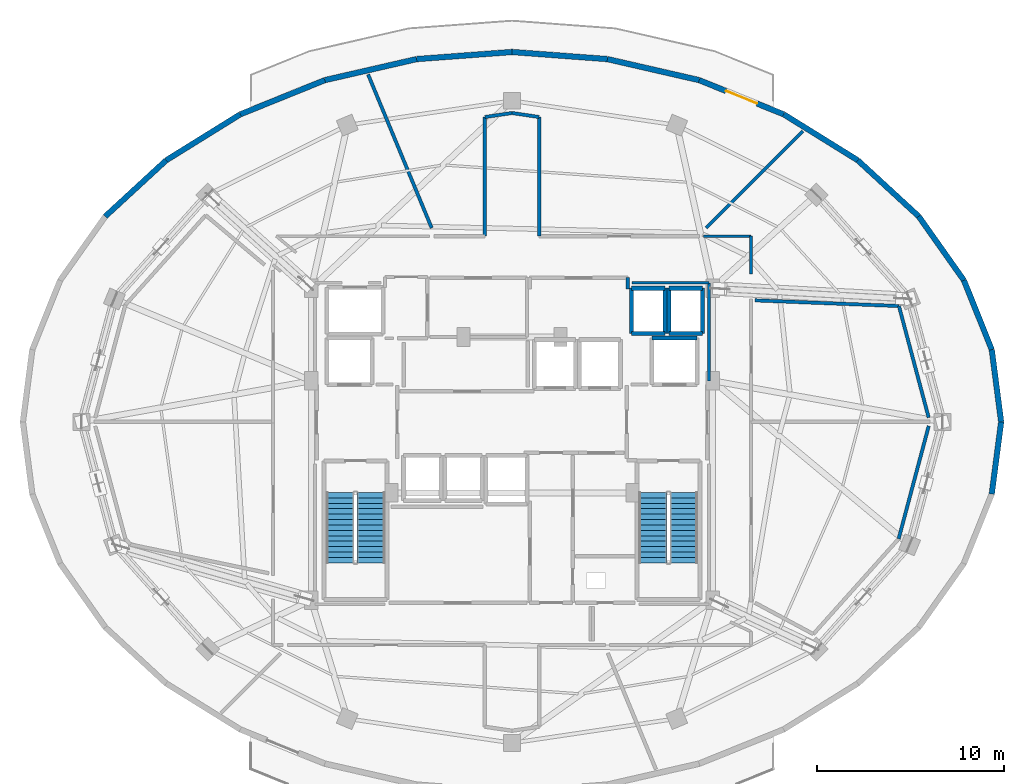
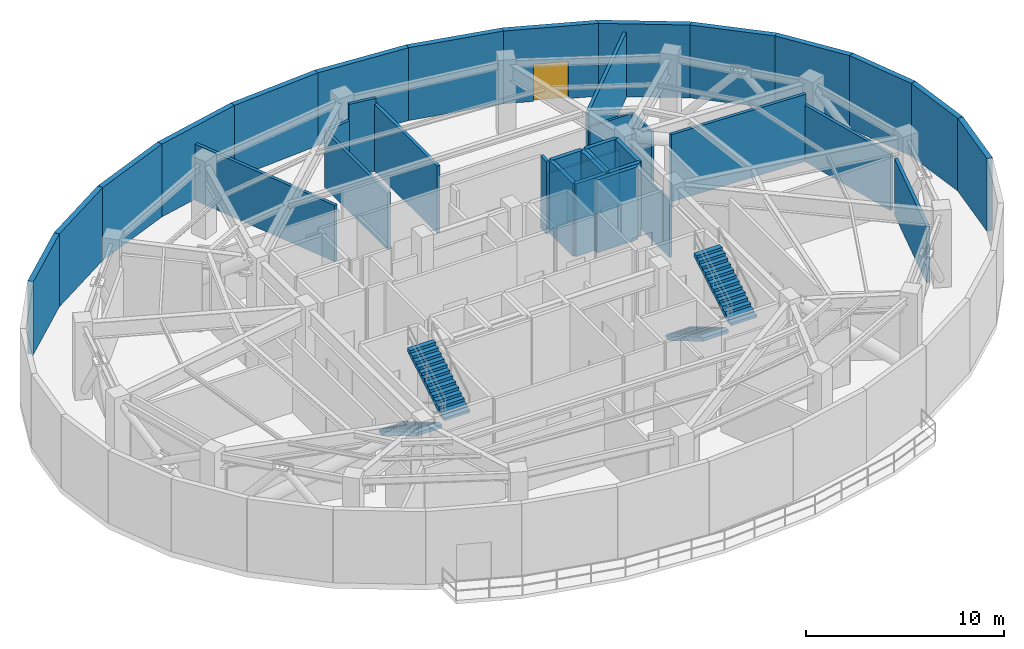
# One storey, part 9 of 10: 37 walls, 4 stair flights, 1 door, 1 opening, 2 elements without a shape of their own.
"""IFC4 building model written with IfcOpenShell, lengths in metres."""

from ifc_helpers import new_model, si_unit, direction, frame, frame_2d, origin, place, context, subcontext, project, spatial, polyline, rectangle, outline, extrude, material, layer, layer_set, type_object, element, fill, aggregate, save


model = new_model("IFC4")

# Units and contexts
model_context = context("Model", 3, precision=1e-05, world=origin(), true_north=direction((0.0, 1.0)))
body_context = subcontext(model_context, "Body", "Model", "MODEL_VIEW")
ifc_project = project(units=[si_unit("LENGTHUNIT", "METRE"), si_unit("AREAUNIT", "SQUARE_METRE"), si_unit("VOLUMEUNIT", "CUBIC_METRE"), si_unit("PLANEANGLEUNIT", "RADIAN"), si_unit("MASSUNIT", "GRAM", prefix="KILO")], contexts=[model_context])

# Site, building, storey
site_placement = place(None, origin())
site = spatial("IfcSite", under=ifc_project, at=site_placement, CompositionType="ELEMENT")
building_placement = place(site_placement, origin())
building = spatial("IfcBuilding", under=site, at=building_placement, Name="Vorneva Point Tower", CompositionType="ELEMENT")
storey_placement = place(building_placement, frame((0.0, 0.0, 224.949951171875)))
storey = spatial("IfcBuildingStorey", under=building, at=storey_placement, Name="L61", CompositionType="ELEMENT", Elevation=224.949951171875)

# Walls
ifc_material_1 = material(Name="Concrete B60 (C50/60)", Category="concrete")
ifc_layer_1 = layer(ifc_material_1, 0.35009765625)
ifc_layer_set_1 = layer_set([ifc_layer_1], Name="Concrete B60 (C50/60)")
wall_type_1 = type_object("IfcWallType", Name="WL-CORE-350", PredefinedType="SHEAR", material=ifc_layer_set_1)
wall_1_placement = place(storey_placement, frame((47.89990234375, 30.5, 0.0), z_axis=(0.0, 0.0, 1.0), x_axis=(-1.0, 0.0, 0.0)))
element("IfcWall", 1, at=wall_1_placement, inside=storey, type_object=wall_type_1, Name="L61 Lift FFL2 Shaft Wall +Y", PredefinedType="SHEAR", context=body_context, shape_type="SweptSolid", body=[
    extrude(rectangle(XDim=2.39990234375, YDim=0.219970703125, at=frame_2d((1.199951171875, 0.0))), origin(), (0.0, 0.0, 1.0), 4.5),
])
ifc_material_2 = material(Name="Precast concrete B50 (C40/50)", Category="concrete")
ifc_layer_2 = layer(ifc_material_2, 0.300048828125)
ifc_layer_set_2 = layer_set([ifc_layer_2], Name="Precast concrete B50 (C40/50)")
wall_type_2 = type_object("IfcWallType", Name="WL-EXT-300", PredefinedType="STANDARD", material=ifc_layer_set_2)
wall_2_placement = place(storey_placement, frame((64.199951171875, 26.0, 0.0), z_axis=(0.0, 0.0, 1.0), x_axis=(-0.129167789917, 0.991622751881, 0.0)))
element("IfcWall", 2, at=wall_2_placement, inside=storey, type_object=wall_type_2, Name="L61 Pale-Metal Facade Spandrel Wall 01.1", PredefinedType="STANDARD", context=body_context, shape_type="SweptSolid", body=[
    extrude(rectangle(XDim=3.8974609375, YDim=0.300048828125, at=frame_2d((1.94873046875, 0.0))), origin(), (0.0, 0.0, 1.0), 4.5),
])
wall_3_placement = place(storey_placement, frame((63.696533203125, 29.86474609375, 0.0), z_axis=(0.0, 0.0, 1.0), x_axis=(-0.37234708598, 0.928093555393, 0.0)))
element("IfcWall", 3, at=wall_3_placement, inside=storey, type_object=wall_type_2, Name="L61 Pale-Metal Facade Spandrel Wall 01.2", PredefinedType="STANDARD", context=body_context, shape_type="SweptSolid", body=[
    extrude(rectangle(XDim=4.004150390625, YDim=0.300048828125, at=frame_2d((2.001953125, 0.0))), origin(), (0.0, 0.0, 1.0), 4.5),
])
wall_4_placement = place(storey_placement, frame((62.20556640625, 33.5810546875, 0.0), z_axis=(0.0, 0.0, 1.0), x_axis=(-0.577261247247, 0.816559521668, 0.0)))
element("IfcWall", 4, at=wall_4_placement, inside=storey, type_object=wall_type_2, Name="L61 Pale-Metal Facade Spandrel Wall 02.1", PredefinedType="STANDARD", context=body_context, shape_type="SweptSolid", body=[
    extrude(rectangle(XDim=4.194091796875, YDim=0.300048828125, at=frame_2d((2.09716796875, 0.0))), origin(), (0.0, 0.0, 1.0), 4.5),
])
wall_5_placement = place(storey_placement, frame((59.784423828125, 37.005859375, 0.0), z_axis=(0.0, 0.0, 1.0), x_axis=(-0.735445373611, 0.677584018727, 0.0)))
element("IfcWall", 5, at=wall_5_placement, inside=storey, type_object=wall_type_2, Name="L61 Pale-Metal Facade Spandrel Wall 02.2", PredefinedType="STANDARD", context=body_context, shape_type="SweptSolid", body=[
    extrude(rectangle(XDim=4.430419921875, YDim=0.300048828125, at=frame_2d((2.21533203125, 0.0))), origin(), (0.0, 0.0, 1.0), 4.5),
])
wall_6_placement = place(storey_placement, frame((56.526123046875, 40.0078125, 0.0), z_axis=(0.0, 0.0, 1.0), x_axis=(-0.849702323036, 0.527262707032, 0.0)))
element("IfcWall", 6, at=wall_6_placement, inside=storey, type_object=wall_type_2, Name="L61 Pale-Metal Facade Spandrel Wall 03.1", PredefinedType="STANDARD", context=body_context, shape_type="SweptSolid", body=[
    extrude(rectangle(XDim=4.67236328125, YDim=0.300048828125, at=frame_2d((2.336181640625, 0.0))), origin(), (0.0, 0.0, 1.0), 4.5),
])

# Wall, opening, door
wall_7_placement = place(storey_placement, frame((52.555908203125, 42.471435546875, 0.0), z_axis=(0.0, 0.0, 1.0), x_axis=(-0.927147375511, 0.374696869594, 0.0)))
wall_7 = element("IfcWall", 7, at=wall_7_placement, inside=storey, type_object=wall_type_2, Name="L61 Pale-Metal Facade Spandrel Wall 03.2", PredefinedType="STANDARD", context=body_context, shape_type="SweptSolid", body=[
    extrude(rectangle(XDim=4.885498046875, YDim=0.300048828125, at=frame_2d((2.44287109375, 0.0))), origin(), (0.0, 0.0, 1.0), 4.5),
])
opening_placement = place(wall_7_placement, frame((1.542724609375, 0.0, 0.0)))
opening = element("IfcOpeningElement", 8, at=opening_placement, cuts=wall_7, Name="Opening BD-02", PredefinedType="OPENING", context=body_context, shape_type="SweptSolid", body=[
    extrude(rectangle(XDim=1.800048828125, YDim=2.300048828125, at=frame_2d((0.89990234375, 1.14990234375))), frame((0.0, 0.1650390625, 0.0), z_axis=(0.0, -1.0, 0.0), x_axis=(1.0, 0.0, 0.0)), (0.0, 0.0, 1.0), 0.329833984375),
])
ifc_material_3 = material(Name="Pale anodised aluminium", Category="aluminium")
door_type = type_object("IfcDoorType", Name="DR-TER-1800", OperationType="DOUBLE_SWING_LEFT", PredefinedType="DOOR", material=ifc_material_3)
door_placement = place(opening_placement, origin())
door = element("IfcDoor", 9, at=door_placement, inside=storey, type_object=door_type, Name="L61 Balcony Terrace Access Door 03", OperationType="DOUBLE_SWING_LEFT", OverallHeight=2.300048828125, OverallWidth=1.800048828125, PredefinedType="DOOR", context=body_context, shape_type="SweptSolid", body=[
    extrude(rectangle(XDim=1.800048828125, YDim=2.300048828125, at=frame_2d((0.89990234375, 1.14990234375))), frame((0.0, 0.02490234375, 0.0), z_axis=(0.0, -1.0, 0.0), x_axis=(1.0, 0.0, 0.0)), (0.0, 0.0, 1.0), 0.050048828125),
])
fill(opening, door)

# Walls
wall_8_placement = place(storey_placement, frame((48.0263671875, 44.302001953125, 0.0), z_axis=(0.0, 0.0, 1.0), x_axis=(-0.974685739337, 0.223579313742, 0.0)))
element("IfcWall", 10, at=wall_8_placement, inside=storey, type_object=wall_type_2, Name="L61 Pale-Metal Facade Spandrel Wall 04.1", PredefinedType="STANDARD", context=body_context, shape_type="SweptSolid", body=[
    extrude(rectangle(XDim=5.042724609375, YDim=0.300048828125, at=frame_2d((2.521484375, 0.0))), origin(), (0.0, 0.0, 1.0), 4.5),
])
for number, where, z_axis, x_axis, name in (
    (11, (43.111328125, 45.429443359375, 0.0), (0.0, 0.0, 1.0), (-0.997238956469, 0.074259435094, 0.0), "L61 Pale-Metal Facade Spandrel Wall 04.2"),
    (12, (38.0, 45.81005859375, 0.0), (0.0, 0.0, 1.0), (-0.997238956469, -0.074259435094, 0.0), "L61 Pale-Metal Facade Spandrel Wall 05.1"),
):
    element("IfcWall", number, at=place(storey_placement, frame(where, z_axis=z_axis, x_axis=x_axis)), inside=storey, type_object=wall_type_2, Name=name, PredefinedType="STANDARD", context=body_context, shape_type="SweptSolid", body=[
        extrude(rectangle(XDim=5.12548828125, YDim=0.300048828125, at=frame_2d((2.562744140625, 0.0))), origin(), (0.0, 0.0, 1.0), 4.5),
    ])
wall_9_placement = place(storey_placement, frame((32.888671875, 45.429443359375, 0.0), z_axis=(0.0, 0.0, 1.0), x_axis=(-0.974685739337, -0.223579313742, 0.0)))
element("IfcWall", 13, at=wall_9_placement, inside=storey, type_object=wall_type_2, Name="L61 Pale-Metal Facade Spandrel Wall 05.2", PredefinedType="STANDARD", context=body_context, shape_type="SweptSolid", body=[
    extrude(rectangle(XDim=5.042724609375, YDim=0.300048828125, at=frame_2d((2.521484375, 0.0))), origin(), (0.0, 0.0, 1.0), 4.5),
])
wall_10_placement = place(storey_placement, frame((27.9736328125, 44.302001953125, 0.0), z_axis=(0.0, 0.0, 1.0), x_axis=(-0.927147375511, -0.374696869594, 0.0)))
element("IfcWall", 14, at=wall_10_placement, inside=storey, type_object=wall_type_2, Name="L61 Pale-Metal Facade Spandrel Wall 06.1", PredefinedType="STANDARD", context=body_context, shape_type="SweptSolid", body=[
    extrude(rectangle(XDim=4.885498046875, YDim=0.300048828125, at=frame_2d((2.44287109375, 0.0))), origin(), (0.0, 0.0, 1.0), 4.5),
])
wall_11_placement = place(storey_placement, frame((23.444091796875, 42.471435546875, 0.0), z_axis=(0.0, 0.0, 1.0), x_axis=(-0.849702323036, -0.527262707032, 0.0)))
element("IfcWall", 15, at=wall_11_placement, inside=storey, type_object=wall_type_2, Name="L61 Pale-Metal Facade Spandrel Wall 06.2", PredefinedType="STANDARD", context=body_context, shape_type="SweptSolid", body=[
    extrude(rectangle(XDim=4.67236328125, YDim=0.300048828125, at=frame_2d((2.336181640625, 0.0))), origin(), (0.0, 0.0, 1.0), 4.5),
])
wall_12_placement = place(storey_placement, frame((19.473876953125, 40.0078125, 0.0), z_axis=(0.0, 0.0, 1.0), x_axis=(-0.735445373611, -0.677584018727, 0.0)))
element("IfcWall", 16, at=wall_12_placement, inside=storey, type_object=wall_type_2, Name="L61 Pale-Metal Facade Spandrel Wall 07.1", PredefinedType="STANDARD", context=body_context, shape_type="SweptSolid", body=[
    extrude(rectangle(XDim=4.430419921875, YDim=0.300048828125, at=frame_2d((2.21533203125, 0.0))), origin(), (0.0, 0.0, 1.0), 4.5),
])
wall_13_placement = place(storey_placement, frame((63.696533203125, 22.13525390625, 0.0), z_axis=(0.0, 0.0, 1.0), x_axis=(0.129167789917, 0.991622751881, 0.0)))
element("IfcWall", 17, at=wall_13_placement, inside=storey, type_object=wall_type_2, Name="L61 Pale-Metal Facade Spandrel Wall 16.2", PredefinedType="STANDARD", context=body_context, shape_type="SweptSolid", body=[
    extrude(rectangle(XDim=3.8974609375, YDim=0.300048828125, at=frame_2d((1.94873046875, 0.0))), origin(), (0.0, 0.0, 1.0), 4.5),
])
ifc_material_4 = material(Name="Fire-rated acoustic gypsum stud partition", Category="gypsum")
ifc_layer_3 = layer(ifc_material_4, 0.139892578125)
ifc_layer_set_3 = layer_set([ifc_layer_3], Name="Fire-rated acoustic gypsum stud partition")
wall_type_3 = type_object("IfcWallType", Name="WL-PART-140", PredefinedType="PARTITIONING", material=ifc_layer_set_3)
wall_14_placement = place(storey_placement, frame((50.800048828125, 33.927978515625, 0.0), z_axis=(0.0, 0.0, 1.0), x_axis=(0.0, 1.0, 0.0)))
element("IfcWall", 18, at=wall_14_placement, inside=storey, type_object=wall_type_3, Name="L61 Interior Closure Partition 053", PredefinedType="PARTITIONING", context=body_context, shape_type="SweptSolid", body=[
    extrude(rectangle(XDim=2.02197265625, YDim=0.139892578125, at=frame_2d((1.010986328125, 0.0))), origin(), (0.0, 0.0, 1.0), 3.48193359375),
])
wall_15_placement = place(storey_placement, frame((50.800048828125, 35.949951171875, 0.0), z_axis=(0.0, 0.0, 1.0), x_axis=(-1.0, 0.0, 0.0)))
element("IfcWall", 19, at=wall_15_placement, inside=storey, type_object=wall_type_3, Name="L61 Interior Closure Partition 054", PredefinedType="PARTITIONING", context=body_context, shape_type="SweptSolid", body=[
    extrude(rectangle(XDim=2.545166015625, YDim=0.139892578125, at=frame_2d((1.2724609375, 0.0))), origin(), (0.0, 0.0, 1.0), 3.48193359375),
])
wall_16_placement = place(storey_placement, frame((48.550048828125, 28.196044921875, 0.0), z_axis=(0.0, 0.0, 1.0), x_axis=(0.0, 1.0, 0.0)))
element("IfcWall", 20, at=wall_16_placement, inside=storey, type_object=wall_type_3, Name="L61 Interior Closure Partition 069", PredefinedType="PARTITIONING", context=body_context, shape_type="SweptSolid", body=[
    extrude(rectangle(XDim=5.25390625, YDim=0.139892578125, at=frame_2d((2.626953125, 0.0))), origin(), (0.0, 0.0, 1.0), 3.48193359375),
])
wall_17_placement = place(storey_placement, frame((48.550048828125, 33.449951171875, 0.0), z_axis=(0.0, 0.0, 1.0), x_axis=(-1.0, 0.0, 0.0)))
element("IfcWall", 21, at=wall_17_placement, inside=storey, type_object=wall_type_3, Name="L61 Interior Closure Partition 070", PredefinedType="PARTITIONING", context=body_context, shape_type="SweptSolid", body=[
    extrude(rectangle(XDim=4.130126953125, YDim=0.139892578125, at=frame_2d((2.06494140625, 0.0))), origin(), (0.0, 0.0, 1.0), 3.48193359375),
])
ifc_material_5 = material(Name="Autoclaved aerated concrete blockwork", Category="masonry")
ifc_layer_4 = layer(ifc_material_5, 0.179931640625)
ifc_layer_set_4 = layer_set([ifc_layer_4], Name="Autoclaved aerated concrete blockwork")
wall_type_4 = type_object("IfcWallType", Name="WL-PART-180", PredefinedType="PARTITIONING", material=ifc_layer_set_4)
wall_18_placement = place(storey_placement, frame((44.199951171875, 33.110107421875, 0.0), z_axis=(0.0, 0.0, 1.0), x_axis=(0.0, 1.0, 0.0)))
element("IfcWall", 22, at=wall_18_placement, inside=storey, type_object=wall_type_4, Name="L61 Interior Partition 022", PredefinedType="PARTITIONING", context=body_context, shape_type="SweptSolid", body=[
    extrude(rectangle(XDim=0.60986328125, YDim=0.179931640625, at=frame_2d((0.304931640625, 0.0))), origin(), (0.0, 0.0, 1.0), 4.5),
])
wall_19_placement = place(storey_placement, frame((39.449951171875, 35.949951171875, 0.0), z_axis=(0.0, 0.0, 1.0), x_axis=(0.0, 1.0, 0.0)))
element("IfcWall", 23, at=wall_19_placement, inside=storey, type_object=wall_type_4, Name="L61 Interior Partition 027", PredefinedType="PARTITIONING", context=body_context, shape_type="SweptSolid", body=[
    extrude(rectangle(XDim=6.3779296875, YDim=0.179931640625, at=frame_2d((3.18896484375, 0.0))), origin(), (0.0, 0.0, 1.0), 4.14599609375),
])
wall_20_placement = place(storey_placement, frame((39.449951171875, 42.327880859375, 0.0), z_axis=(0.0, 0.0, 1.0), x_axis=(-0.989175722593, 0.146735782388, 0.0)))
element("IfcWall", 24, at=wall_20_placement, inside=storey, type_object=wall_type_4, Name="L61 Interior Partition 028", PredefinedType="PARTITIONING", context=body_context, shape_type="SweptSolid", body=[
    extrude(rectangle(XDim=1.4658203125, YDim=0.179931640625, at=frame_2d((0.73291015625, 0.0))), origin(), (0.0, 0.0, 1.0), 4.5),
])
wall_21_placement = place(storey_placement, frame((38.0, 42.54296875, 0.0), z_axis=(0.0, 0.0, 1.0), x_axis=(-0.989175722593, -0.146735782388, 0.0)))
element("IfcWall", 25, at=wall_21_placement, inside=storey, type_object=wall_type_4, Name="L61 Interior Partition 029", PredefinedType="PARTITIONING", context=body_context, shape_type="SweptSolid", body=[
    extrude(rectangle(XDim=1.4658203125, YDim=0.179931640625, at=frame_2d((0.73291015625, 0.0))), origin(), (0.0, 0.0, 1.0), 3.48193359375),
])
wall_22_placement = place(storey_placement, frame((36.550048828125, 42.327880859375, 0.0), z_axis=(0.0, 0.0, 1.0), x_axis=(0.0, -1.0, 0.0)))
element("IfcWall", 26, at=wall_22_placement, inside=storey, type_object=wall_type_4, Name="L61 Interior Partition 030", PredefinedType="PARTITIONING", context=body_context, shape_type="SweptSolid", body=[
    extrude(rectangle(XDim=6.3779296875, YDim=0.179931640625, at=frame_2d((3.18896484375, 0.0))), origin(), (0.0, 0.0, 1.0), 3.48193359375),
])
wall_23_placement = place(storey_placement, frame((48.39990234375, 36.39990234375, 0.0), z_axis=(0.0, 0.0, 1.0), x_axis=(0.707106781187, 0.707106781187, 0.0)))
element("IfcWall", 27, at=wall_23_placement, inside=storey, type_object=wall_type_4, Name="L61 Interior Closure Partition 071", PredefinedType="PARTITIONING", context=body_context, shape_type="SweptSolid", body=[
    extrude(rectangle(XDim=7.32275390625, YDim=0.179931640625, at=frame_2d((3.661376953125, 0.0))), origin(), (0.0, 0.0, 1.0), 4.033935546875),
])
wall_24_placement = place(storey_placement, frame((30.2919921875, 44.60791015625, 0.0), z_axis=(0.0, 0.0, 1.0), x_axis=(0.382758057572, -0.923848618208, 0.0)))
element("IfcWall", 28, at=wall_24_placement, inside=storey, type_object=wall_type_4, Name="L61 Interior Closure Partition 072", PredefinedType="PARTITIONING", context=body_context, shape_type="SweptSolid", body=[
    extrude(rectangle(XDim=8.898681640625, YDim=0.179931640625, at=frame_2d((4.44921875, 0.0))), origin(), (0.0, 0.0, 1.0), 3.48193359375),
])
wall_25_placement = place(storey_placement, frame((58.70703125, 19.736083984375, 0.0), z_axis=(0.0, 0.0, 1.0), x_axis=(0.257567905164, 0.966260200065, 0.0)))
element("IfcWall", 29, at=wall_25_placement, inside=storey, type_object=wall_type_4, Name="L61 Interior Closure Partition 083", PredefinedType="PARTITIONING", context=body_context, shape_type="SweptSolid", body=[
    extrude(rectangle(XDim=6.2548828125, YDim=0.179931640625, at=frame_2d((3.12744140625, 0.0))), origin(), (0.0, 0.0, 1.0), 3.48193359375),
])
wall_26_placement = place(storey_placement, frame((60.31591796875, 26.22998046875, 0.0), z_axis=(0.0, 0.0, 1.0), x_axis=(-0.257611046893, 0.966248699103, 0.0)))
element("IfcWall", 30, at=wall_26_placement, inside=storey, type_object=wall_type_4, Name="L61 Interior Closure Partition 084", PredefinedType="PARTITIONING", context=body_context, shape_type="SweptSolid", body=[
    extrude(rectangle(XDim=6.183837890625, YDim=0.179931640625, at=frame_2d((3.091796875, 0.0))), origin(), (0.0, 0.0, 1.0), 3.48193359375),
])
wall_27_placement = place(storey_placement, frame((58.722900390625, 32.205078125, 0.0), z_axis=(0.0, 0.0, 1.0), x_axis=(-0.999222365292, 0.039429236626, 0.0)))
element("IfcWall", 31, at=wall_27_placement, inside=storey, type_object=wall_type_4, Name="L61 Interior Closure Partition 085", PredefinedType="PARTITIONING", context=body_context, shape_type="SweptSolid", body=[
    extrude(rectangle(XDim=7.708984375, YDim=0.179931640625, at=frame_2d((3.8544921875, 0.0))), origin(), (0.0, 0.0, 1.0), 4.14599609375),
])
ifc_material_6 = material(Name="Concrete B50 (C40/50)", Category="concrete")
ifc_layer_5 = layer(ifc_material_6, 0.219970703125)
ifc_layer_set_5 = layer_set([ifc_layer_5], Name="Concrete B50 (C40/50)")
wall_type_5 = type_object("IfcWallType", Name="WL-SHFT-220", PredefinedType="SOLIDWALL", material=ifc_layer_set_5)
wall_28_placement = place(storey_placement, frame((44.39990234375, 30.739990234375, 0.0), z_axis=(0.0, 0.0, 1.0), x_axis=(1.0, 0.0, 0.0)))
element("IfcWall", 32, at=wall_28_placement, inside=storey, type_object=wall_type_5, Name="L61 Lift EX1 Shaft Wall -Y", PredefinedType="SOLIDWALL", context=body_context, shape_type="SweptSolid", body=[
    extrude(rectangle(XDim=1.800048828125, YDim=0.219970703125, at=frame_2d((0.89990234375, 0.0))), origin(), (0.0, 0.0, 1.0), 4.5),
])
wall_29_placement = place(storey_placement, frame((46.199951171875, 30.739990234375, 0.0), z_axis=(0.0, 0.0, 1.0), x_axis=(0.0, 1.0, 0.0)))
element("IfcWall", 33, at=wall_29_placement, inside=storey, type_object=wall_type_5, Name="L61 Lift EX1 Shaft Wall +X", PredefinedType="SOLIDWALL", context=body_context, shape_type="SweptSolid", body=[
    extrude(rectangle(XDim=2.419921875, YDim=0.219970703125, at=frame_2d((1.2099609375, 0.0))), origin(), (0.0, 0.0, 1.0), 4.5),
])
wall_30_placement = place(storey_placement, frame((46.199951171875, 33.159912109375, 0.0), z_axis=(0.0, 0.0, 1.0), x_axis=(-1.0, 0.0, 0.0)))
element("IfcWall", 34, at=wall_30_placement, inside=storey, type_object=wall_type_5, Name="L61 Lift EX1 Shaft Wall +Y", PredefinedType="SOLIDWALL", context=body_context, shape_type="SweptSolid", body=[
    extrude(rectangle(XDim=1.800048828125, YDim=0.219970703125, at=frame_2d((0.89990234375, 0.0))), origin(), (0.0, 0.0, 1.0), 4.5),
])
wall_31_placement = place(storey_placement, frame((44.39990234375, 33.159912109375, 0.0), z_axis=(0.0, 0.0, 1.0), x_axis=(0.0, -1.0, 0.0)))
element("IfcWall", 35, at=wall_31_placement, inside=storey, type_object=wall_type_5, Name="L61 Lift EX1 Shaft Wall -X", PredefinedType="SOLIDWALL", context=body_context, shape_type="SweptSolid", body=[
    extrude(rectangle(XDim=2.419921875, YDim=0.219970703125, at=frame_2d((1.2099609375, 0.0))), origin(), (0.0, 0.0, 1.0), 4.5),
])
wall_32_placement = place(storey_placement, frame((46.39990234375, 30.739990234375, 0.0), z_axis=(0.0, 0.0, 1.0), x_axis=(1.0, 0.0, 0.0)))
element("IfcWall", 36, at=wall_32_placement, inside=storey, type_object=wall_type_5, Name="L61 Lift EX2 Shaft Wall -Y", PredefinedType="SOLIDWALL", context=body_context, shape_type="SweptSolid", body=[
    extrude(rectangle(XDim=1.800048828125, YDim=0.219970703125, at=frame_2d((0.89990234375, 0.0))), origin(), (0.0, 0.0, 1.0), 4.5),
])
wall_33_placement = place(storey_placement, frame((48.199951171875, 30.739990234375, 0.0), z_axis=(0.0, 0.0, 1.0), x_axis=(0.0, 1.0, 0.0)))
element("IfcWall", 37, at=wall_33_placement, inside=storey, type_object=wall_type_5, Name="L61 Lift EX2 Shaft Wall +X", PredefinedType="SOLIDWALL", context=body_context, shape_type="SweptSolid", body=[
    extrude(rectangle(XDim=2.419921875, YDim=0.219970703125, at=frame_2d((1.2099609375, 0.0))), origin(), (0.0, 0.0, 1.0), 4.5),
])
wall_34_placement = place(storey_placement, frame((48.199951171875, 33.159912109375, 0.0), z_axis=(0.0, 0.0, 1.0), x_axis=(-1.0, 0.0, 0.0)))
element("IfcWall", 38, at=wall_34_placement, inside=storey, type_object=wall_type_5, Name="L61 Lift EX2 Shaft Wall +Y", PredefinedType="SOLIDWALL", context=body_context, shape_type="SweptSolid", body=[
    extrude(rectangle(XDim=1.800048828125, YDim=0.219970703125, at=frame_2d((0.89990234375, 0.0))), origin(), (0.0, 0.0, 1.0), 4.5),
])
wall_35_placement = place(storey_placement, frame((46.39990234375, 33.159912109375, 0.0), z_axis=(0.0, 0.0, 1.0), x_axis=(0.0, -1.0, 0.0)))
element("IfcWall", 39, at=wall_35_placement, inside=storey, type_object=wall_type_5, Name="L61 Lift EX2 Shaft Wall -X", PredefinedType="SOLIDWALL", context=body_context, shape_type="SweptSolid", body=[
    extrude(rectangle(XDim=2.419921875, YDim=0.219970703125, at=frame_2d((1.2099609375, 0.0))), origin(), (0.0, 0.0, 1.0), 4.5),
])

# Stair, stair flights
stair_type = type_object("IfcStairType", Name="ST-DOG-1500", PredefinedType="HALF_TURN_STAIR", material=ifc_material_6)
stair_1_placement = place(storey_placement, origin())
stair_1 = element("IfcStair", 40, at=stair_1_placement, inside=storey, type_object=stair_type, Name="L61 ST1", PredefinedType="HALF_TURN_STAIR")
stair_flight_type = type_object("IfcStairFlightType", Name="STF-1500", PredefinedType="STRAIGHT", material=ifc_material_6)
stair_flight_1_placement = place(storey_placement, frame((28.800048828125, 22.219970703125, 0.0), z_axis=(0.0, 0.0, 1.0), x_axis=(0.0, -1.0, 0.0)))
stair_flight_1 = element("IfcStairFlight", 41, at=stair_flight_1_placement, type_object=stair_flight_type, Name="ST1 flight 1", NumberOfRisers=14, NumberOfTreads=13, PredefinedType="STRAIGHT", RiserHeight=0.171428571, TreadLength=0.29, context=body_context, shape_type="SweptSolid", body=[
    extrude(outline(polyline([(0.0, 0.0), (0.0, 0.17138671875), (0.2900390625, 0.17138671875), (0.2900390625, 0.3427734375), (0.580078125, 0.3427734375), (0.580078125, 0.514404296875), (0.8701171875, 0.514404296875), (0.8701171875, 0.685791015625), (1.159912109375, 0.685791015625), (1.159912109375, 0.857177734375), (1.449951171875, 0.857177734375), (1.449951171875, 1.028564453125), (1.739990234375, 1.028564453125), (1.739990234375, 1.199951171875), (2.030029296875, 1.199951171875), (2.030029296875, 1.371337890625), (2.320068359375, 1.371337890625), (2.320068359375, 1.54296875), (2.610107421875, 1.54296875), (2.610107421875, 1.71435546875), (2.89990234375, 1.71435546875), (2.89990234375, 1.8857421875), (3.18994140625, 1.8857421875), (3.18994140625, 2.05712890625), (3.47998046875, 2.05712890625), (3.47998046875, 2.228515625), (3.77001953125, 2.228515625), (3.77001953125, 2.39990234375), (3.77001953125, 2.01953125), (0.353515625, 0.0), (0.0, 0.0)])), frame((0.0, 0.75, 0.0), z_axis=(0.0, -1.0, 0.0), x_axis=(1.0, 0.0, 0.0)), (0.0, 0.0, 1.0), 1.5),
])
stair_flight_2_placement = place(storey_placement, frame((30.449951171875, 18.449951171875, 2.400146484375), z_axis=(0.0, 0.0, 1.0), x_axis=(0.0, 1.0, 0.0)))
stair_flight_2 = element("IfcStairFlight", 42, at=stair_flight_2_placement, type_object=stair_flight_type, Name="ST1 flight 2", NumberOfRisers=14, NumberOfTreads=13, PredefinedType="STRAIGHT", RiserHeight=0.171428571, TreadLength=0.29, context=body_context, shape_type="SweptSolid", body=[
    extrude(outline(polyline([(0.0, 0.0), (0.0, 0.17138671875), (0.2900390625, 0.17138671875), (0.2900390625, 0.3427734375), (0.580078125, 0.3427734375), (0.580078125, 0.514404296875), (0.8701171875, 0.514404296875), (0.8701171875, 0.685791015625), (1.159912109375, 0.685791015625), (1.159912109375, 0.857177734375), (1.449951171875, 0.857177734375), (1.449951171875, 1.028564453125), (1.739990234375, 1.028564453125), (1.739990234375, 1.199951171875), (2.030029296875, 1.199951171875), (2.030029296875, 1.371337890625), (2.320068359375, 1.371337890625), (2.320068359375, 1.54296875), (2.610107421875, 1.54296875), (2.610107421875, 1.71435546875), (2.89990234375, 1.71435546875), (2.89990234375, 1.8857421875), (3.18994140625, 1.8857421875), (3.18994140625, 2.05712890625), (3.47998046875, 2.05712890625), (3.47998046875, 2.228515625), (3.77001953125, 2.228515625), (3.77001953125, 2.39990234375), (3.77001953125, 2.01953125), (0.353515625, 0.0), (0.0, 0.0)])), frame((0.0, 0.75, 0.0), z_axis=(0.0, -1.0, 0.0), x_axis=(1.0, 0.0, 0.0)), (0.0, 0.0, 1.0), 1.5),
])
aggregate(stair_1, [stair_flight_1, stair_flight_2])

stair_2_placement = place(storey_placement, origin())
stair_2 = element("IfcStair", 43, at=stair_2_placement, inside=storey, type_object=stair_type, Name="L61 ST2", PredefinedType="HALF_TURN_STAIR")
stair_flight_3_placement = place(storey_placement, frame((45.550048828125, 22.219970703125, 0.0), z_axis=(0.0, 0.0, 1.0), x_axis=(0.0, -1.0, 0.0)))
stair_flight_3 = element("IfcStairFlight", 44, at=stair_flight_3_placement, type_object=stair_flight_type, Name="ST2 flight 1", NumberOfRisers=14, NumberOfTreads=13, PredefinedType="STRAIGHT", RiserHeight=0.171428571, TreadLength=0.29, context=body_context, shape_type="SweptSolid", body=[
    extrude(outline(polyline([(0.0, 0.0), (0.0, 0.17138671875), (0.2900390625, 0.17138671875), (0.2900390625, 0.3427734375), (0.580078125, 0.3427734375), (0.580078125, 0.514404296875), (0.8701171875, 0.514404296875), (0.8701171875, 0.685791015625), (1.159912109375, 0.685791015625), (1.159912109375, 0.857177734375), (1.449951171875, 0.857177734375), (1.449951171875, 1.028564453125), (1.739990234375, 1.028564453125), (1.739990234375, 1.199951171875), (2.030029296875, 1.199951171875), (2.030029296875, 1.371337890625), (2.320068359375, 1.371337890625), (2.320068359375, 1.54296875), (2.610107421875, 1.54296875), (2.610107421875, 1.71435546875), (2.89990234375, 1.71435546875), (2.89990234375, 1.8857421875), (3.18994140625, 1.8857421875), (3.18994140625, 2.05712890625), (3.47998046875, 2.05712890625), (3.47998046875, 2.228515625), (3.77001953125, 2.228515625), (3.77001953125, 2.39990234375), (3.77001953125, 2.01953125), (0.353515625, 0.0), (0.0, 0.0)])), frame((0.0, 0.75, 0.0), z_axis=(0.0, -1.0, 0.0), x_axis=(1.0, 0.0, 0.0)), (0.0, 0.0, 1.0), 1.5),
])
stair_flight_4_placement = place(storey_placement, frame((47.199951171875, 18.449951171875, 2.400146484375), z_axis=(0.0, 0.0, 1.0), x_axis=(0.0, 1.0, 0.0)))
stair_flight_4 = element("IfcStairFlight", 45, at=stair_flight_4_placement, type_object=stair_flight_type, Name="ST2 flight 2", NumberOfRisers=14, NumberOfTreads=13, PredefinedType="STRAIGHT", RiserHeight=0.171428571, TreadLength=0.29, context=body_context, shape_type="SweptSolid", body=[
    extrude(outline(polyline([(0.0, 0.0), (0.0, 0.17138671875), (0.2900390625, 0.17138671875), (0.2900390625, 0.3427734375), (0.580078125, 0.3427734375), (0.580078125, 0.514404296875), (0.8701171875, 0.514404296875), (0.8701171875, 0.685791015625), (1.159912109375, 0.685791015625), (1.159912109375, 0.857177734375), (1.449951171875, 0.857177734375), (1.449951171875, 1.028564453125), (1.739990234375, 1.028564453125), (1.739990234375, 1.199951171875), (2.030029296875, 1.199951171875), (2.030029296875, 1.371337890625), (2.320068359375, 1.371337890625), (2.320068359375, 1.54296875), (2.610107421875, 1.54296875), (2.610107421875, 1.71435546875), (2.89990234375, 1.71435546875), (2.89990234375, 1.8857421875), (3.18994140625, 1.8857421875), (3.18994140625, 2.05712890625), (3.47998046875, 2.05712890625), (3.47998046875, 2.228515625), (3.77001953125, 2.228515625), (3.77001953125, 2.39990234375), (3.77001953125, 2.01953125), (0.353515625, 0.0), (0.0, 0.0)])), frame((0.0, 0.75, 0.0), z_axis=(0.0, -1.0, 0.0), x_axis=(1.0, 0.0, 0.0)), (0.0, 0.0, 1.0), 1.5),
])
aggregate(stair_2, [stair_flight_3, stair_flight_4])

save(model, "model.ifc")
